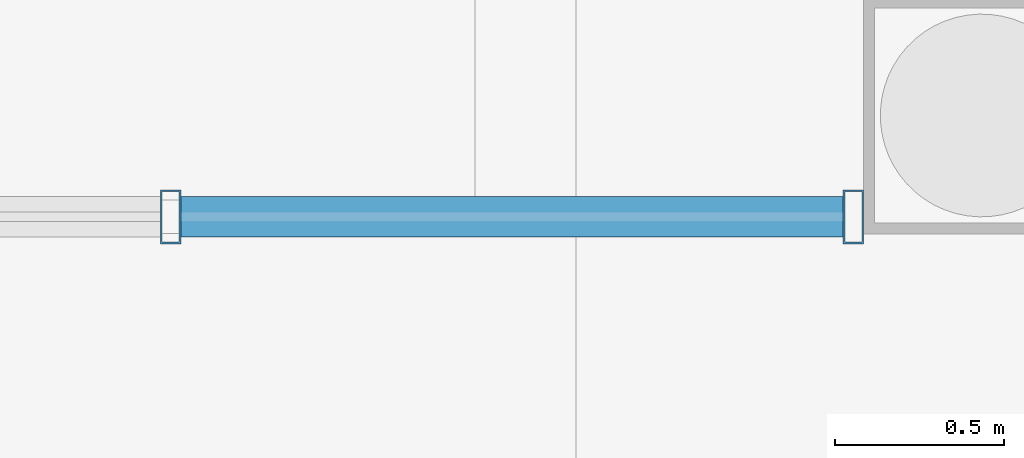
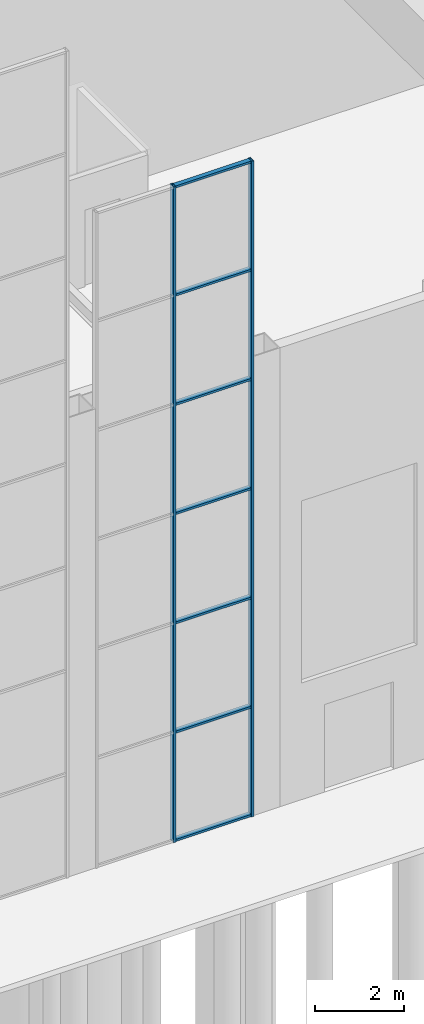
# One storey, part 17 of 58: 9 members, 1 element without a shape of its own.
"""IFC4 building model written with IfcOpenShell, lengths in metres."""

from ifc_helpers import new_model, si_unit, direction, frame, origin, origin_2d, place, context, subcontext, project, spatial, hollow_rectangle, extrude, material, layer, layer_set, material_profile, profile_set, type_object, element, aggregate, save


model = new_model("IFC4")

# Units and contexts
model_context = context("Model", 3, precision=1e-05, world=origin(), true_north=direction((0.0, 1.0)))
body_context = subcontext(model_context, "Body", "Model", "MODEL_VIEW")
ifc_project = project(units=[si_unit("LENGTHUNIT", "METRE"), si_unit("AREAUNIT", "SQUARE_METRE"), si_unit("VOLUMEUNIT", "CUBIC_METRE"), si_unit("PLANEANGLEUNIT", "RADIAN"), si_unit("MASSUNIT", "GRAM", prefix="KILO")], contexts=[model_context])

# Site, building, storey
site_placement = place(None, origin())
site = spatial("IfcSite", under=ifc_project, at=site_placement, CompositionType="ELEMENT")
building_placement = place(site_placement, origin())
building = spatial("IfcBuilding", under=site, at=building_placement, Name="Baori Bourse Tower", CompositionType="ELEMENT")
storey_placement = place(building_placement, origin())
storey = spatial("IfcBuildingStorey", under=building, at=storey_placement, Name="L00", CompositionType="ELEMENT", Elevation=0.0)

# Curtain wall, members
ifc_material_1 = material(Name="Pale anodised aluminium", Category="aluminium")
ifc_layer = layer(ifc_material_1, 0.10009765625)
ifc_layer_set = layer_set([ifc_layer], Name="Wing curtain wall")
curtain_wall_type = type_object("IfcCurtainWallType", Name="Wing curtain wall", PredefinedType="NOTDEFINED", material=ifc_layer_set)
curtain_wall_placement = place(storey_placement, origin())
curtain_wall = element("IfcCurtainWall", 1, at=curtain_wall_placement, inside=storey, type_object=curtain_wall_type, Name="wing/L00/hallcw/002", PredefinedType="NOTDEFINED")
ifc_material_2 = material(Name="Pale anodised aluminium", Category="aluminium")
ifc_material_profile_1 = material_profile(ifc_material_2, hollow_rectangle(XDim=0.159912109375, YDim=0.06005859375, WallThickness=0.0048828125, at=origin_2d()), Name="Mullion 160x60x5")
ifc_profile_set_1 = profile_set([ifc_material_profile_1], Name="Pale anodised aluminium")
member_type_1 = type_object("IfcMemberType", Name="Wing mullion 60x160", PredefinedType="MULLION", material=ifc_profile_set_1)
member_1_placement = place(storey_placement, frame((7.199951171875, -25.14990234375, 0.0), z_axis=(0.0, 0.0, 1.0), x_axis=(0.0, 1.0, 0.0)))
member_1 = element("IfcMember", 2, at=member_1_placement, type_object=member_type_1, Name="X12 mullion 2", PredefinedType="MULLION", context=body_context, shape_type="SweptSolid", body=[
    extrude(hollow_rectangle(XDim=0.159912109375, YDim=0.06005859375, WallThickness=0.0048828125, at=origin_2d()), origin(), (0.0, 0.0, 1.0), 18.0),
])
member_2_placement = place(storey_placement, frame((9.219970703125, -25.14990234375, 0.0), z_axis=(0.0, 0.0, 1.0), x_axis=(0.0, 1.0, 0.0)))
member_2 = element("IfcMember", 3, at=member_2_placement, type_object=member_type_1, Name="X12 mullion 3", PredefinedType="MULLION", context=body_context, shape_type="SweptSolid", body=[
    extrude(hollow_rectangle(XDim=0.159912109375, YDim=0.06005859375, WallThickness=0.0048828125, at=origin_2d()), origin(), (0.0, 0.0, 1.0), 18.0),
])
ifc_material_3 = material(Name="Pale anodised aluminium", Category="aluminium")
ifc_material_profile_2 = material_profile(ifc_material_3, hollow_rectangle(XDim=0.1201171875, YDim=0.06005859375, WallThickness=0.0048828125, at=origin_2d()), Name="Transom 120x60x5")
ifc_profile_set_2 = profile_set([ifc_material_profile_2], Name="Pale anodised aluminium")
member_type_2 = type_object("IfcMemberType", Name="Wing transom 120x60", PredefinedType="USERDEFINED", material=ifc_profile_set_2)
member_3_placement = place(storey_placement, frame((7.22998046875, -25.14990234375, 0.030029296875), z_axis=(1.0, 0.0, 0.0), x_axis=(0.0, 1.0, 0.0)))
member_3 = element("IfcMember", 4, at=member_3_placement, type_object=member_type_2, Name="X12 transom 2.1", ObjectType="TRANSOM", PredefinedType="USERDEFINED", context=body_context, shape_type="SweptSolid", body=[
    extrude(hollow_rectangle(XDim=0.1201171875, YDim=0.06005859375, WallThickness=0.0048828125, at=origin_2d()), origin(), (0.0, 0.0, 1.0), 1.9599609375),
])
member_4_placement = place(storey_placement, frame((7.22998046875, -25.14990234375, 3.0), z_axis=(1.0, 0.0, 0.0), x_axis=(0.0, 1.0, 0.0)))
member_4 = element("IfcMember", 5, at=member_4_placement, type_object=member_type_2, Name="X12 transom 2.2", ObjectType="TRANSOM", PredefinedType="USERDEFINED", context=body_context, shape_type="SweptSolid", body=[
    extrude(hollow_rectangle(XDim=0.1201171875, YDim=0.06005859375, WallThickness=0.0048828125, at=origin_2d()), origin(), (0.0, 0.0, 1.0), 1.9599609375),
])
member_5_placement = place(storey_placement, frame((7.22998046875, -25.14990234375, 6.0), z_axis=(1.0, 0.0, 0.0), x_axis=(0.0, 1.0, 0.0)))
member_5 = element("IfcMember", 6, at=member_5_placement, type_object=member_type_2, Name="X12 transom 2.3", ObjectType="TRANSOM", PredefinedType="USERDEFINED", context=body_context, shape_type="SweptSolid", body=[
    extrude(hollow_rectangle(XDim=0.1201171875, YDim=0.06005859375, WallThickness=0.0048828125, at=origin_2d()), origin(), (0.0, 0.0, 1.0), 1.9599609375),
])
member_6_placement = place(storey_placement, frame((7.22998046875, -25.14990234375, 9.0), z_axis=(1.0, 0.0, 0.0), x_axis=(0.0, 1.0, 0.0)))
member_6 = element("IfcMember", 7, at=member_6_placement, type_object=member_type_2, Name="X12 transom 2.4", ObjectType="TRANSOM", PredefinedType="USERDEFINED", context=body_context, shape_type="SweptSolid", body=[
    extrude(hollow_rectangle(XDim=0.1201171875, YDim=0.06005859375, WallThickness=0.0048828125, at=origin_2d()), origin(), (0.0, 0.0, 1.0), 1.9599609375),
])
member_7_placement = place(storey_placement, frame((7.22998046875, -25.14990234375, 12.0), z_axis=(1.0, 0.0, 0.0), x_axis=(0.0, 1.0, 0.0)))
member_7 = element("IfcMember", 8, at=member_7_placement, type_object=member_type_2, Name="X12 transom 2.5", ObjectType="TRANSOM", PredefinedType="USERDEFINED", context=body_context, shape_type="SweptSolid", body=[
    extrude(hollow_rectangle(XDim=0.1201171875, YDim=0.06005859375, WallThickness=0.0048828125, at=origin_2d()), origin(), (0.0, 0.0, 1.0), 1.9599609375),
])
member_8_placement = place(storey_placement, frame((7.22998046875, -25.14990234375, 15.0), z_axis=(1.0, 0.0, 0.0), x_axis=(0.0, 1.0, 0.0)))
member_8 = element("IfcMember", 9, at=member_8_placement, type_object=member_type_2, Name="X12 transom 2.6", ObjectType="TRANSOM", PredefinedType="USERDEFINED", context=body_context, shape_type="SweptSolid", body=[
    extrude(hollow_rectangle(XDim=0.1201171875, YDim=0.06005859375, WallThickness=0.0048828125, at=origin_2d()), origin(), (0.0, 0.0, 1.0), 1.9599609375),
])
member_9_placement = place(storey_placement, frame((7.22998046875, -25.14990234375, 17.969970703125), z_axis=(1.0, 0.0, 0.0), x_axis=(0.0, 1.0, 0.0)))
member_9 = element("IfcMember", 10, at=member_9_placement, type_object=member_type_2, Name="X12 transom 2.7", ObjectType="TRANSOM", PredefinedType="USERDEFINED", context=body_context, shape_type="SweptSolid", body=[
    extrude(hollow_rectangle(XDim=0.1201171875, YDim=0.06005859375, WallThickness=0.0048828125, at=origin_2d()), origin(), (0.0, 0.0, 1.0), 1.9599609375),
])
aggregate(curtain_wall, [member_1, member_2, member_3, member_4, member_5, member_6, member_7, member_8, member_9])

save(model, "model.ifc")
